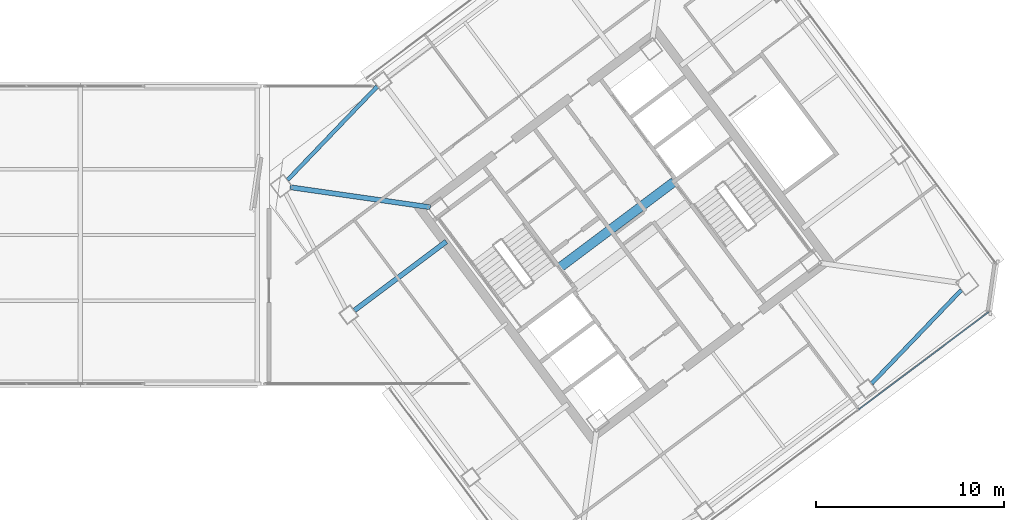
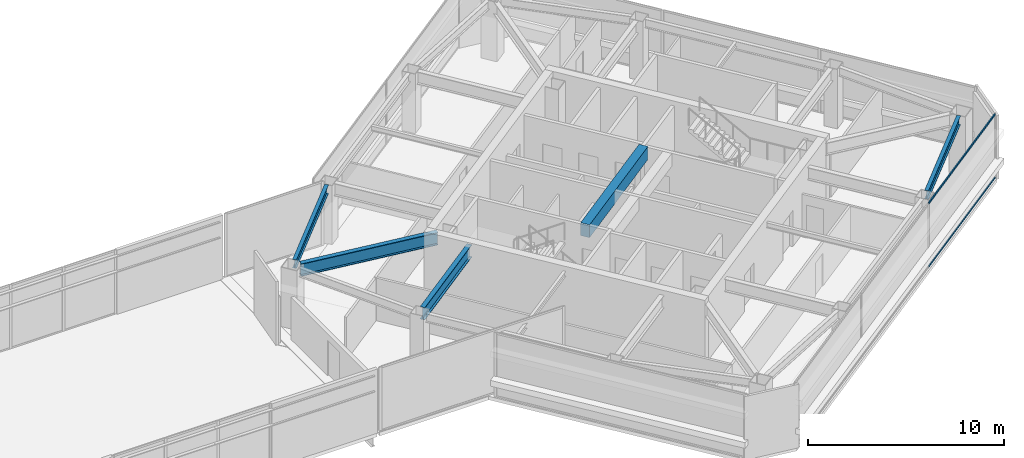
# One storey, part 32 of 51: 5 beams, 2 members, 1 element without a shape of its own.
"""IFC4 building model written with IfcOpenShell, lengths in metres."""

from ifc_helpers import new_model, si_unit, direction, frame, origin, origin_2d, place, context, subcontext, project, spatial, rectangle, hollow_rectangle, i_section, extrude, material, material_profile, profile_set, type_object, element, aggregate, save


model = new_model("IFC4")

# Units and contexts
model_context = context("Model", 3, precision=1e-05, world=origin(), true_north=direction((0.0, 1.0)))
body_context = subcontext(model_context, "Body", "Model", "MODEL_VIEW")
ifc_project = project(units=[si_unit("LENGTHUNIT", "METRE"), si_unit("AREAUNIT", "SQUARE_METRE"), si_unit("VOLUMEUNIT", "CUBIC_METRE"), si_unit("PLANEANGLEUNIT", "RADIAN"), si_unit("MASSUNIT", "GRAM", prefix="KILO")], contexts=[model_context])

# Site, building, storey
site_placement = place(None, origin())
site = spatial("IfcSite", under=ifc_project, at=site_placement, CompositionType="ELEMENT")
building_placement = place(site_placement, origin())
building = spatial("IfcBuilding", under=site, at=building_placement, Name="Tashvorn Skyway Center", CompositionType="ELEMENT")
storey_placement = place(building_placement, frame((0.0, 0.0, 259.39990234375)))
storey = spatial("IfcBuildingStorey", under=building, at=storey_placement, Name="L70", CompositionType="ELEMENT", Elevation=259.39990234375)

# Beams
ifc_material_1 = material(Name="Steel ASTM A992 Grade 50", Category="steel")
ifc_material_profile_1 = material_profile(ifc_material_1, i_section(OverallWidth=0.26708984375, OverallDepth=0.779052734375, WebThickness=0.0166015625, FlangeThickness=0.030029296875, at=origin_2d()), Name="W30X148")
ifc_profile_set_1 = profile_set([ifc_material_profile_1], Name="Steel ASTM A992 Grade 50")
beam_type_1 = type_object("IfcBeamType", Name="BM-BEAM-W30X148", PredefinedType="BEAM", material=ifc_profile_set_1)
beam_1_placement = place(storey_placement, frame((96.240478515625, 34.537109375, 3.310546875), z_axis=(0.989948195795, -0.141430441004, 0.0), x_axis=(0.141430441004, 0.989948195795, 0.0)))
element("IfcBeam", 1, at=beam_1_placement, inside=storey, type_object=beam_type_1, Name="Tower 2 L70 Primary Floor Girder MC-NW", PredefinedType="BEAM", context=body_context, shape_type="SweptSolid", body=[
    extrude(i_section(OverallWidth=0.26708984375, OverallDepth=0.779052734375, WebThickness=0.0166015625, FlangeThickness=0.030029296875, at=origin_2d()), origin(), (0.0, 0.0, 1.0), 7.524658203125),
])
beam_2_placement = place(storey_placement, frame((99.656005859375, 27.991943359375, 3.310546875), z_axis=(0.799980788524, 0.600025614447, 0.0), x_axis=(-0.600025614447, 0.799980788524, 0.0)))
element("IfcBeam", 2, at=beam_2_placement, inside=storey, type_object=beam_type_1, Name="Tower 2 L70 Primary Floor Girder FC-W1", PredefinedType="BEAM", context=body_context, shape_type="SweptSolid", body=[
    extrude(i_section(OverallWidth=0.26708984375, OverallDepth=0.779052734375, WebThickness=0.0166015625, FlangeThickness=0.030029296875, at=origin_2d()), origin(), (0.0, 0.0, 1.0), 6.10009765625),
])
ifc_material_2 = material(Name="Concrete C50/60", Category="concrete")
ifc_material_profile_2 = material_profile(ifc_material_2, rectangle(XDim=0.5, YDim=0.800048828125, at=origin_2d()), Name="RCB500x800")
ifc_profile_set_2 = profile_set([ifc_material_profile_2], Name="Concrete C50/60")
beam_type_2 = type_object("IfcBeamType", Name="BM-LINTEL-RCB500x800", PredefinedType="LINTEL", material=ifc_profile_set_2)
beam_3_placement = place(storey_placement, frame((110.552001953125, 30.263916015625, 3.300048828125), z_axis=(0.8, 0.6, 0.0), x_axis=(-0.6, 0.8, 0.0)))
element("IfcBeam", 3, at=beam_3_placement, inside=storey, type_object=beam_type_2, Name="Tower 2 L70 Core Coupling Beam CN", PredefinedType="LINTEL", context=body_context, shape_type="SweptSolid", body=[
    extrude(rectangle(XDim=0.5, YDim=0.800048828125, at=origin_2d()), origin(), (0.0, 0.0, 1.0), 7.60009765625),
])
ifc_material_profile_3 = material_profile(ifc_material_1, i_section(OverallWidth=0.2109375, OverallDepth=0.5390625, WebThickness=0.01171875, FlangeThickness=0.018798828125, at=origin_2d()), Name="W21X73")
ifc_profile_set_3 = profile_set([ifc_material_profile_3], Name="Steel ASTM A992 Grade 50")
beam_type_3 = type_object("IfcBeamType", Name="BM-SPANDREL-W21X73", PredefinedType="SPANDREL", material=ifc_profile_set_3)
for number, where, z_axis, x_axis, name in (
    (4, (127.1259765625, 24.107177734375, 3.4306640625), (0.692025461493, 0.721873091786, 0.0), (-0.721873091786, 0.692025461493, 0.0), "Tower 2 L70 Spandrel Beam 03"),
    (5, (100.8740234375, 39.892822265625, 3.4306640625), (-0.692025461493, -0.721873091786, 0.0), (0.721873091786, -0.692025461493, 0.0), "Tower 2 L70 Spandrel Beam 09"),
):
    element("IfcBeam", number, at=place(storey_placement, frame(where, z_axis=z_axis, x_axis=x_axis)), inside=storey, type_object=beam_type_3, Name=name, PredefinedType="SPANDREL", context=body_context, shape_type="SweptSolid", body=[
        extrude(i_section(OverallWidth=0.2109375, OverallDepth=0.5390625, WebThickness=0.01171875, FlangeThickness=0.018798828125, at=origin_2d()), origin(), (0.0, 0.0, 1.0), 6.88720703125),
    ])

# Curtain wall, members
ifc_material_3 = material(Name="Thermally broken bronze-anodized aluminium 6063-T6", Category="aluminium")
curtain_wall_type = type_object("IfcCurtainWallType", Name="CW-CW-SKY", PredefinedType="NOTDEFINED", material=ifc_material_3)
curtain_wall_placement = place(storey_placement, origin())
curtain_wall = element("IfcCurtainWall", 6, at=curtain_wall_placement, inside=storey, type_object=curtain_wall_type, Name="Tower 2 L70 South Unitised Curtain Wall", PredefinedType="NOTDEFINED")
ifc_material_profile_4 = material_profile(ifc_material_3, hollow_rectangle(XDim=0.06494140625, YDim=0.10498046875, WallThickness=0.00390625, at=origin_2d()), Name="ALU-TRAN-65x105")
ifc_profile_set_4 = profile_set([ifc_material_profile_4], Name="Thermally broken bronze-anodized aluminium 6063-T6")
member_type = type_object("IfcMemberType", Name="CWT-CW-SKY", PredefinedType="USERDEFINED", material=ifc_profile_set_4)
member_1_placement = place(storey_placement, frame((133.340087890625, 27.905029296875, 0.03271484375), z_axis=(-0.80000339763, -0.599995469799, 0.0), x_axis=(0.599995469799, -0.80000339763, 0.0)))
member_1 = element("IfcMember", 7, at=member_1_placement, type_object=member_type, Name="CW-SKY transom 1.1", ObjectType="TRANSOM", PredefinedType="USERDEFINED", context=body_context, shape_type="SweptSolid", body=[
    extrude(hollow_rectangle(XDim=0.06494140625, YDim=0.10498046875, WallThickness=0.00390625, at=origin_2d()), origin(), (0.0, 0.0, 1.0), 8.622802734375),
])
member_2_placement = place(storey_placement, frame((133.340087890625, 27.905029296875, 3.967529296875), z_axis=(-0.80000339763, -0.599995469799, 0.0), x_axis=(0.599995469799, -0.80000339763, 0.0)))
member_2 = element("IfcMember", 8, at=member_2_placement, type_object=member_type, Name="CW-SKY transom 1.2", ObjectType="TRANSOM", PredefinedType="USERDEFINED", context=body_context, shape_type="SweptSolid", body=[
    extrude(hollow_rectangle(XDim=0.06494140625, YDim=0.10498046875, WallThickness=0.00390625, at=origin_2d()), origin(), (0.0, 0.0, 1.0), 8.622802734375),
])
aggregate(curtain_wall, [member_1, member_2])

save(model, "model.ifc")
